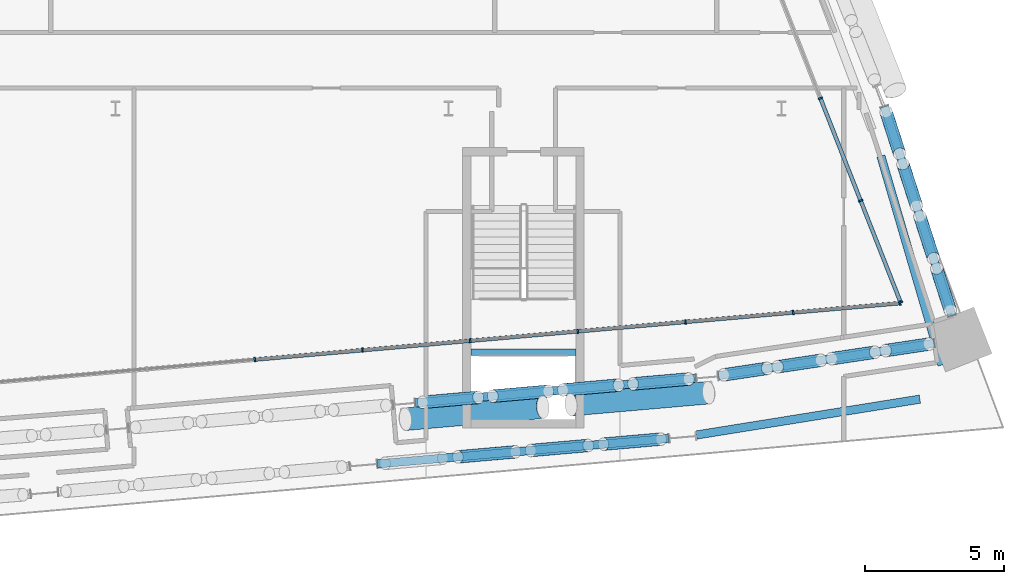
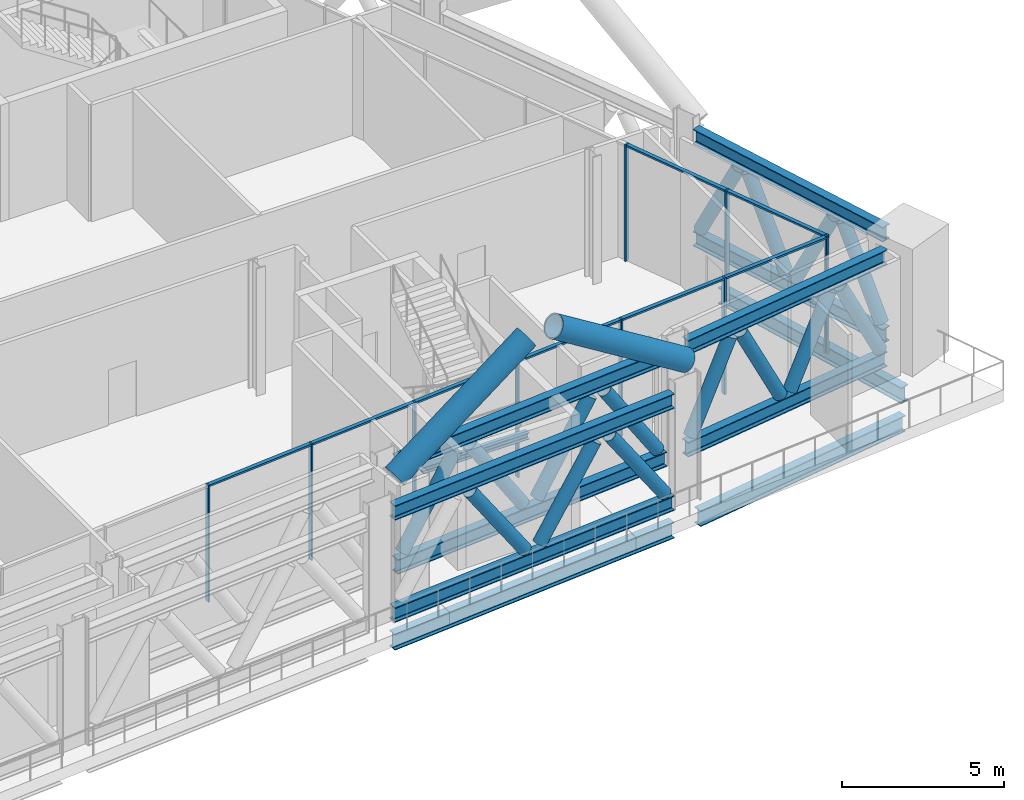
# One storey, part 11 of 39: 43 members, 4 beams, 2 elements without a shape of their own.
"""IFC4 building model written with IfcOpenShell, lengths in metres."""

from ifc_helpers import new_model, si_unit, direction, frame, origin, origin_2d, place, context, subcontext, project, spatial, rectangle, hollow_circle, i_section, extrude, material, material_profile, profile_set, type_object, element, aggregate, save


model = new_model("IFC4")

# Units and contexts
model_context = context("Model", 3, precision=1e-05, world=origin(), true_north=direction((0.0, 1.0)))
body_context = subcontext(model_context, "Body", "Model", "MODEL_VIEW")
ifc_project = project(units=[si_unit("LENGTHUNIT", "METRE"), si_unit("AREAUNIT", "SQUARE_METRE"), si_unit("VOLUMEUNIT", "CUBIC_METRE"), si_unit("PLANEANGLEUNIT", "RADIAN"), si_unit("MASSUNIT", "GRAM", prefix="KILO")], contexts=[model_context])

# Site, building, storey
site_placement = place(None, origin())
site = spatial("IfcSite", under=ifc_project, at=site_placement, CompositionType="ELEMENT")
building_placement = place(site_placement, origin())
building = spatial("IfcBuilding", under=site, at=building_placement, Name="Wharfspan Tower", CompositionType="ELEMENT")
storey_placement = place(building_placement, frame((0.0, 0.0, 91.899902)))
storey = spatial("IfcBuildingStorey", under=building, at=storey_placement, Name="L20", CompositionType="ELEMENT", Elevation=91.899902)

# Beams
ifc_material_1 = material(Name="Steel S355J2", Category="steel")
ifc_material_profile_1 = material_profile(ifc_material_1, i_section(OverallWidth=0.300049, OverallDepth=0.600098, WebThickness=0.015381, FlangeThickness=0.030029, FilletRadius=0.0271, at=origin_2d()))
ifc_profile_set_1 = profile_set([ifc_material_profile_1], Name="Steel S355J2")
beam_type_1 = type_object("IfcBeamType", Name="Edge beam HEB 600", PredefinedType="SPANDREL", material=ifc_profile_set_1)
beam_1_placement = place(storey_placement, frame((69.440674, -1.311279, -0.75), z_axis=(0.996193, 0.087178, 0.0), x_axis=(-0.087178, 0.996193, 0.0)))
element("IfcBeam", 1, at=beam_1_placement, inside=storey, type_object=beam_type_1, Name="Edge beam S2 L20 PS2.2 to PS2.3", PredefinedType="SPANDREL", context=body_context, shape_type="SweptSolid", body=[
    extrude(i_section(OverallWidth=0.300049, OverallDepth=0.600098, WebThickness=0.015381, FlangeThickness=0.030029, FilletRadius=0.0271, at=origin_2d()), origin(), (0.0, 0.0, 1.0), 10.543701),
])
beam_2_placement = place(storey_placement, frame((80.9375, -0.269287, -0.75), z_axis=(0.987379, 0.158378, 0.0), x_axis=(-0.158378, 0.987379, 0.0)))
element("IfcBeam", 2, at=beam_2_placement, inside=storey, type_object=beam_type_1, Name="Edge beam S2 L20 PS2.3 to MC4", PredefinedType="SPANDREL", context=body_context, shape_type="SweptSolid", body=[
    extrude(i_section(OverallWidth=0.300049, OverallDepth=0.600098, WebThickness=0.015381, FlangeThickness=0.030029, FilletRadius=0.0271, at=origin_2d()), origin(), (0.0, 0.0, 1.0), 8.157715),
])
beam_3_placement = place(storey_placement, frame((89.788086, 2.254639, -0.75), z_axis=(-0.280694, 0.959797, 0.0), x_axis=(-0.959797, -0.280694, 0.0)))
element("IfcBeam", 3, at=beam_3_placement, inside=storey, type_object=beam_type_1, Name="Edge beam E L20 MC4 to PE.1", PredefinedType="SPANDREL", context=body_context, shape_type="SweptSolid", body=[
    extrude(i_section(OverallWidth=0.300049, OverallDepth=0.600098, WebThickness=0.015381, FlangeThickness=0.030029, FilletRadius=0.0271, at=origin_2d()), origin(), (0.0, 0.0, 1.0), 7.8479),
])
ifc_material_profile_2 = material_profile(ifc_material_1, i_section(OverallWidth=0.23999, OverallDepth=0.23999, WebThickness=0.01001, FlangeThickness=0.01709, FilletRadius=0.020996, at=origin_2d()))
ifc_profile_set_2 = profile_set([ifc_material_profile_2], Name="Steel S355J2")
beam_type_2 = type_object("IfcBeamType", Name="Landing edge beam HEB 240", PredefinedType="BEAM", material=ifc_profile_set_2)
beam_4_placement = place(storey_placement, frame((72.813477, 2.7146, 2.080078), z_axis=(1.0, 0.0, 0.0), x_axis=(0.0, 1.0, 0.0)))
element("IfcBeam", 4, at=beam_4_placement, inside=storey, type_object=beam_type_2, Name="Landing edge beam", PredefinedType="BEAM", context=body_context, shape_type="SweptSolid", body=[
    extrude(i_section(OverallWidth=0.23999, OverallDepth=0.23999, WebThickness=0.01001, FlangeThickness=0.01709, FilletRadius=0.020996, at=origin_2d()), origin(), (0.0, 0.0, 1.0), 3.781494),
])

# Curtain wall, members
ifc_material_2 = material(Name="Aluminium 6063-T6", Category="aluminium")
curtain_wall_type = type_object("IfcCurtainWallType", Name="CURTAIN WALL BAND RECESS", PredefinedType="NOTDEFINED", material=ifc_material_2)
curtain_wall_1_placement = place(storey_placement, origin())
curtain_wall_1 = element("IfcCurtainWall", 5, at=curtain_wall_1_placement, inside=storey, type_object=curtain_wall_type, Name="Recess glazing R4", PredefinedType="NOTDEFINED")
ifc_material_profile_3 = material_profile(ifc_material_2, rectangle(XDim=0.159912, YDim=0.060059, at=origin_2d()))
ifc_profile_set_3 = profile_set([ifc_material_profile_3], Name="Aluminium 6063-T6")
member_type_1 = type_object("IfcMemberType", Name="MULLION BAND RECESS 60x160", PredefinedType="MULLION", material=ifc_profile_set_3)
member_1_placement = place(storey_placement, frame((85.407959, 11.865234, 0.0), z_axis=(0.0, 0.0, 1.0), x_axis=(0.930702, 0.365778, 0.0)))
member_1 = element("IfcMember", 6, at=member_1_placement, type_object=member_type_1, Name="Recess glazing R4 mullion 7", PredefinedType="MULLION", context=body_context, shape_type="SweptSolid", body=[
    extrude(rectangle(XDim=0.159912, YDim=0.060059, at=origin_2d()), origin(), (0.0, 0.0, 1.0), 4.400146),
])
member_2_placement = place(storey_placement, frame((86.857666, 8.176025, 0.0), z_axis=(0.0, 0.0, 1.0), x_axis=(0.930702, 0.365778, 0.0)))
member_2 = element("IfcMember", 7, at=member_2_placement, type_object=member_type_1, Name="Recess glazing R4 mullion 8", PredefinedType="MULLION", context=body_context, shape_type="SweptSolid", body=[
    extrude(rectangle(XDim=0.159912, YDim=0.060059, at=origin_2d()), origin(), (0.0, 0.0, 1.0), 4.400146),
])
member_3_placement = place(storey_placement, frame((88.296631, 4.514893, 0.0), z_axis=(0.0, 0.0, 1.0), x_axis=(0.930702, 0.365778, 0.0)))
member_3 = element("IfcMember", 8, at=member_3_placement, type_object=member_type_1, Name="Recess glazing R4 mullion 9", PredefinedType="MULLION", context=body_context, shape_type="SweptSolid", body=[
    extrude(rectangle(XDim=0.159912, YDim=0.060059, at=origin_2d()), origin(), (0.0, 0.0, 1.0), 4.400146),
])

curtain_wall_2_placement = place(storey_placement, origin())
curtain_wall_2 = element("IfcCurtainWall", 9, at=curtain_wall_2_placement, inside=storey, type_object=curtain_wall_type, Name="Recess glazing R5", PredefinedType="NOTDEFINED")
member_4_placement = place(storey_placement, frame((88.277832, 4.484375, 0.0), z_axis=(0.0, 0.0, 1.0), x_axis=(0.087156, -0.996198, 0.0)))
member_4 = element("IfcMember", 10, at=member_4_placement, type_object=member_type_1, Name="Recess glazing R5 mullion 1", PredefinedType="MULLION", context=body_context, shape_type="SweptSolid", body=[
    extrude(rectangle(XDim=0.159912, YDim=0.060059, at=origin_2d()), origin(), (0.0, 0.0, 1.0), 4.400146),
])
member_5_placement = place(storey_placement, frame((84.426758, 4.147461, 0.0), z_axis=(0.0, 0.0, 1.0), x_axis=(0.087156, -0.996198, 0.0)))
member_5 = element("IfcMember", 11, at=member_5_placement, type_object=member_type_1, Name="Recess glazing R5 mullion 2", PredefinedType="MULLION", context=body_context, shape_type="SweptSolid", body=[
    extrude(rectangle(XDim=0.159912, YDim=0.060059, at=origin_2d()), origin(), (0.0, 0.0, 1.0), 4.400146),
])
member_6_placement = place(storey_placement, frame((80.546143, 3.807861, 0.0), z_axis=(0.0, 0.0, 1.0), x_axis=(0.087156, -0.996198, 0.0)))
member_6 = element("IfcMember", 12, at=member_6_placement, type_object=member_type_1, Name="Recess glazing R5 mullion 3", PredefinedType="MULLION", context=body_context, shape_type="SweptSolid", body=[
    extrude(rectangle(XDim=0.159912, YDim=0.060059, at=origin_2d()), origin(), (0.0, 0.0, 1.0), 4.400146),
])
member_7_placement = place(storey_placement, frame((76.665283, 3.468262, 0.0), z_axis=(0.0, 0.0, 1.0), x_axis=(0.087156, -0.996198, 0.0)))
member_7 = element("IfcMember", 13, at=member_7_placement, type_object=member_type_1, Name="Recess glazing R5 mullion 4", PredefinedType="MULLION", context=body_context, shape_type="SweptSolid", body=[
    extrude(rectangle(XDim=0.159912, YDim=0.060059, at=origin_2d()), origin(), (0.0, 0.0, 1.0), 4.400146),
])
member_8_placement = place(storey_placement, frame((72.784668, 3.128906, 0.0), z_axis=(0.0, 0.0, 1.0), x_axis=(0.087156, -0.996198, 0.0)))
member_8 = element("IfcMember", 14, at=member_8_placement, type_object=member_type_1, Name="Recess glazing R5 mullion 5", PredefinedType="MULLION", context=body_context, shape_type="SweptSolid", body=[
    extrude(rectangle(XDim=0.159912, YDim=0.060059, at=origin_2d()), origin(), (0.0, 0.0, 1.0), 4.400146),
])
member_9_placement = place(storey_placement, frame((68.903809, 2.789307, 0.0), z_axis=(0.0, 0.0, 1.0), x_axis=(0.087156, -0.996198, 0.0)))
member_9 = element("IfcMember", 15, at=member_9_placement, type_object=member_type_1, Name="Recess glazing R5 mullion 6", PredefinedType="MULLION", context=body_context, shape_type="SweptSolid", body=[
    extrude(rectangle(XDim=0.159912, YDim=0.060059, at=origin_2d()), origin(), (0.0, 0.0, 1.0), 4.400146),
])
member_10_placement = place(storey_placement, frame((65.022949, 2.449707, 0.0), z_axis=(0.0, 0.0, 1.0), x_axis=(0.087156, -0.996198, 0.0)))
member_10 = element("IfcMember", 16, at=member_10_placement, type_object=member_type_1, Name="Recess glazing R5 mullion 7", PredefinedType="MULLION", context=body_context, shape_type="SweptSolid", body=[
    extrude(rectangle(XDim=0.159912, YDim=0.060059, at=origin_2d()), origin(), (0.0, 0.0, 1.0), 4.400146),
])

# Members
ifc_material_3 = material(Name="Steel S460NH", Category="steel")
ifc_material_profile_4 = material_profile(ifc_material_3, hollow_circle(Radius=0.406494, WallThickness=0.040039, at=origin_2d()))
ifc_profile_set_4 = profile_set([ifc_material_profile_4], Name="Steel S460NH")
member_type_2 = type_object("IfcMemberType", Name="Mega brace CHS 813x40", PredefinedType="BRACE", material=ifc_profile_set_4)
member_11_placement = place(storey_placement, frame((70.452393, 0.299805, 4.100098), z_axis=(0.832734, 0.072869, 0.548858), x_axis=(-0.087173, 0.99619, 1e-06)))
element("IfcMember", 17, at=member_11_placement, inside=storey, type_object=member_type_2, Name="Mega brace S2 L21 part 1", PredefinedType="BRACE", context=body_context, shape_type="SweptSolid", body=[
    extrude(hollow_circle(Radius=0.406494, WallThickness=0.040039, at=origin_2d()), origin(), (0.0, 0.0, 1.0), 5.943604),
])
member_12_placement = place(storey_placement, frame((81.376221, 1.255371, 4.100098), z_axis=(-0.832724, -0.07283, 0.548878), x_axis=(0.087128, -0.996197, 1e-06)))
element("IfcMember", 18, at=member_12_placement, inside=storey, type_object=member_type_2, Name="Mega brace S2 L21 part 3", PredefinedType="BRACE", context=body_context, shape_type="SweptSolid", body=[
    extrude(hollow_circle(Radius=0.406494, WallThickness=0.040039, at=origin_2d()), origin(), (0.0, 0.0, 1.0), 5.943359),
])

# Member
ifc_material_profile_5 = material_profile(ifc_material_2, rectangle(XDim=0.139893, YDim=0.070068, at=origin_2d()))
ifc_profile_set_5 = profile_set([ifc_material_profile_5], Name="Aluminium 6063-T6")
member_type_3 = type_object("IfcMemberType", Name="TRANSOM BAND RECESS 70x140", PredefinedType="USERDEFINED", material=ifc_profile_set_5)
member_13_placement = place(storey_placement, frame((85.418945, 11.837158, 4.36499), z_axis=(0.365734, -0.93072, 0.0), x_axis=(0.93072, 0.365734, 0.0)))
member_13 = element("IfcMember", 19, at=member_13_placement, type_object=member_type_3, Name="Recess glazing R4 transom 7", ObjectType="TRANSOM", PredefinedType="USERDEFINED", context=body_context, shape_type="SweptSolid", body=[
    extrude(rectangle(XDim=0.139893, YDim=0.070068, at=origin_2d()), origin(), (0.0, 0.0, 1.0), 3.903809),
])

member_14_placement = place(storey_placement, frame((86.868652, 8.148193, 4.36499), z_axis=(0.365777, -0.930702, 0.0), x_axis=(0.930702, 0.365777, 0.0)))
member_14 = element("IfcMember", 20, at=member_14_placement, type_object=member_type_3, Name="Recess glazing R4 transom 8", ObjectType="TRANSOM", PredefinedType="USERDEFINED", context=body_context, shape_type="SweptSolid", body=[
    extrude(rectangle(XDim=0.139893, YDim=0.070068, at=origin_2d()), origin(), (0.0, 0.0, 1.0), 3.874023),
])

aggregate(curtain_wall_1, [member_1, member_2, member_3, member_13, member_14])

member_15_placement = place(storey_placement, frame((88.247803, 4.481689, 4.36499), z_axis=(-0.996192, -0.087186, 0.0), x_axis=(0.087186, -0.996192, 0.0)))
member_15 = element("IfcMember", 21, at=member_15_placement, type_object=member_type_3, Name="Recess glazing R5 transom 1", ObjectType="TRANSOM", PredefinedType="USERDEFINED", context=body_context, shape_type="SweptSolid", body=[
    extrude(rectangle(XDim=0.139893, YDim=0.070068, at=origin_2d()), origin(), (0.0, 0.0, 1.0), 3.80542),
])

member_16_placement = place(storey_placement, frame((84.396973, 4.144775, 4.36499), z_axis=(-0.996196, -0.087138, 0.0), x_axis=(0.087138, -0.996196, 0.0)))
member_16 = element("IfcMember", 22, at=member_16_placement, type_object=member_type_3, Name="Recess glazing R5 transom 2", ObjectType="TRANSOM", PredefinedType="USERDEFINED", context=body_context, shape_type="SweptSolid", body=[
    extrude(rectangle(XDim=0.139893, YDim=0.070068, at=origin_2d()), origin(), (0.0, 0.0, 1.0), 3.835693),
])

member_17_placement = place(storey_placement, frame((80.516113, 3.805176, 4.36499), z_axis=(-0.996196, -0.087143, 0.0), x_axis=(0.087143, -0.996196, 0.0)))
member_17 = element("IfcMember", 23, at=member_17_placement, type_object=member_type_3, Name="Recess glazing R5 transom 3", ObjectType="TRANSOM", PredefinedType="USERDEFINED", context=body_context, shape_type="SweptSolid", body=[
    extrude(rectangle(XDim=0.139893, YDim=0.070068, at=origin_2d()), origin(), (0.0, 0.0, 1.0), 3.835449),
])

member_18_placement = place(storey_placement, frame((76.635498, 3.46582, 4.36499), z_axis=(-0.996191, -0.087201, 0.0), x_axis=(0.087201, -0.996191, 0.0)))
member_18 = element("IfcMember", 24, at=member_18_placement, type_object=member_type_3, Name="Recess glazing R5 transom 4", ObjectType="TRANSOM", PredefinedType="USERDEFINED", context=body_context, shape_type="SweptSolid", body=[
    extrude(rectangle(XDim=0.139893, YDim=0.070068, at=origin_2d()), origin(), (0.0, 0.0, 1.0), 3.835693),
])

member_19_placement = place(storey_placement, frame((72.754639, 3.126221, 4.36499), z_axis=(-0.996196, -0.087138, 0.0), x_axis=(0.087138, -0.996196, 0.0)))
member_19 = element("IfcMember", 25, at=member_19_placement, type_object=member_type_3, Name="Recess glazing R5 transom 5", ObjectType="TRANSOM", PredefinedType="USERDEFINED", context=body_context, shape_type="SweptSolid", body=[
    extrude(rectangle(XDim=0.139893, YDim=0.070068, at=origin_2d()), origin(), (0.0, 0.0, 1.0), 3.835693),
])

member_20_placement = place(storey_placement, frame((68.874023, 2.786621, 4.36499), z_axis=(-0.996196, -0.087138, 0.0), x_axis=(0.087138, -0.996196, 0.0)))
member_20 = element("IfcMember", 26, at=member_20_placement, type_object=member_type_3, Name="Recess glazing R5 transom 6", ObjectType="TRANSOM", PredefinedType="USERDEFINED", context=body_context, shape_type="SweptSolid", body=[
    extrude(rectangle(XDim=0.139893, YDim=0.070068, at=origin_2d()), origin(), (0.0, 0.0, 1.0), 3.835693),
])

aggregate(curtain_wall_2, [member_4, member_5, member_6, member_7, member_8, member_9, member_10, member_15, member_16, member_17, member_18, member_19, member_20])

# Members
ifc_material_profile_6 = material_profile(ifc_material_1, i_section(OverallWidth=0.300049, OverallDepth=0.550049, WebThickness=0.014893, FlangeThickness=0.029053, FilletRadius=0.0271, at=origin_2d()))
ifc_profile_set_6 = profile_set([ifc_material_profile_6], Name="Steel S355J2")
member_type_4 = type_object("IfcMemberType", Name="Truss chord HEB 550", PredefinedType="CHORD", material=ifc_profile_set_6)
for number, where, z_axis, x_axis, name in (
    (27, (70.80957, 0.888184, 4.125), (0.996195, 0.087157, 0.0), (-0.087157, 0.996195, 0.0), "Belt truss chord T L20 S2 PS2.2 to PS2.3"),
    (28, (70.80957, 0.888184, 0.275146), (0.996195, 0.087157, 0.0), (-0.087157, 0.996195, 0.0), "Belt truss chord B L20 S2 PS2.2 to PS2.3"),
):
    element("IfcMember", number, at=place(storey_placement, frame(where, z_axis=z_axis, x_axis=x_axis)), inside=storey, type_object=member_type_4, Name=name, PredefinedType="CHORD", context=body_context, shape_type="SweptSolid", body=[
        extrude(i_section(OverallWidth=0.300049, OverallDepth=0.550049, WebThickness=0.014893, FlangeThickness=0.029053, FilletRadius=0.0271, at=origin_2d()), origin(), (0.0, 0.0, 1.0), 10.151367),
    ])
for number, where, z_axis, x_axis, name in (
    (29, (81.731201, 1.868896, 4.125), (0.988922, 0.148436, 0.0), (-0.148436, 0.988922, 0.0), "Belt truss chord T L20 S2 PS2.3 to MC4"),
    (30, (81.731201, 1.868896, 0.275146), (0.988922, 0.148436, 0.0), (-0.148436, 0.988922, 0.0), "Belt truss chord B L20 S2 PS2.3 to MC4"),
):
    element("IfcMember", number, at=place(storey_placement, frame(where, z_axis=z_axis, x_axis=x_axis)), inside=storey, type_object=member_type_4, Name=name, PredefinedType="CHORD", context=body_context, shape_type="SweptSolid", body=[
        extrude(i_section(OverallWidth=0.300049, OverallDepth=0.550049, WebThickness=0.014893, FlangeThickness=0.029053, FilletRadius=0.0271, at=origin_2d()), origin(), (0.0, 0.0, 1.0), 7.870117),
    ])
for number, where, z_axis, x_axis, name in (
    (31, (90.149658, 4.031982, 4.125), (-0.307852, 0.951434, 0.0), (-0.951434, -0.307852, 0.0), "Belt truss chord T L20 E MC4 to PE.1"),
    (32, (90.149658, 4.031982, 0.275146), (-0.307852, 0.951434, 0.0), (-0.951434, -0.307852, 0.0), "Belt truss chord B L20 E MC4 to PE.1"),
):
    element("IfcMember", number, at=place(storey_placement, frame(where, z_axis=z_axis, x_axis=x_axis)), inside=storey, type_object=member_type_4, Name=name, PredefinedType="CHORD", context=body_context, shape_type="SweptSolid", body=[
        extrude(i_section(OverallWidth=0.300049, OverallDepth=0.550049, WebThickness=0.014893, FlangeThickness=0.029053, FilletRadius=0.0271, at=origin_2d()), origin(), (0.0, 0.0, 1.0), 7.916992),
    ])
for number, where, z_axis, x_axis, name in (
    (33, (69.44458, -1.310791, 4.125), (0.996195, 0.087151, 0.0), (-0.087151, 0.996195, 0.0), "Belt truss chord T L20 S2 PS2.2.S to PS2.3.S"),
    (34, (69.44458, -1.310791, 0.275146), (0.996195, 0.087151, 0.0), (-0.087151, 0.996195, 0.0), "Belt truss chord B L20 S2 PS2.2.S to PS2.3.S"),
):
    element("IfcMember", number, at=place(storey_placement, frame(where, z_axis=z_axis, x_axis=x_axis)), inside=storey, type_object=member_type_4, Name=name, PredefinedType="CHORD", context=body_context, shape_type="SweptSolid", body=[
        extrude(i_section(OverallWidth=0.300049, OverallDepth=0.550049, WebThickness=0.014893, FlangeThickness=0.029053, FilletRadius=0.0271, at=origin_2d()), origin(), (0.0, 0.0, 1.0), 10.535889),
    ])
ifc_material_profile_7 = material_profile(ifc_material_3, hollow_circle(Radius=0.228516, WallThickness=0.016113, at=origin_2d()))
ifc_profile_set_7 = profile_set([ifc_material_profile_7], Name="Steel S460NH")
member_type_5 = type_object("IfcMemberType", Name="Truss diagonal CHS 457x16", PredefinedType="BRACE", material=ifc_profile_set_7)
for number, where, z_axis, x_axis, name in (
    (35, (71.072754, 0.911133, 0.675781), (0.548278, 0.047941, 0.834921), (-0.08711, 0.9962, 2e-06), "Belt truss diagonal L20 S2 PS2.2 to PS2.3 1"),
    (36, (73.60083, 1.132324, 3.724365), (0.548276, 0.048008, -0.834918), (-0.087231, 0.996188, -2e-06), "Belt truss diagonal L20 S2 PS2.2 to PS2.3 2"),
    (37, (76.12915, 1.353516, 0.675781), (0.548276, 0.048008, 0.834918), (-0.087231, 0.996188, 2e-06), "Belt truss diagonal L20 S2 PS2.2 to PS2.3 3"),
    (38, (78.657471, 1.574707, 3.724365), (0.548276, 0.048008, -0.834918), (-0.087231, 0.996188, -2e-06), "Belt truss diagonal L20 S2 PS2.2 to PS2.3 4"),
):
    element("IfcMember", number, at=place(storey_placement, frame(where, z_axis=z_axis, x_axis=x_axis)), inside=storey, type_object=member_type_5, Name=name, PredefinedType="BRACE", context=body_context, shape_type="SweptSolid", body=[
        extrude(hollow_circle(Radius=0.228516, WallThickness=0.016113, at=origin_2d()), origin(), (0.0, 0.0, 1.0), 3.651367),
    ])
for number, where, z_axis, x_axis, name in (
    (39, (81.922852, 1.897705, 0.654053), (0.449986, 0.067498, 0.890481), (-0.148342, 0.988932, 1e-06), "Belt truss diagonal L20 S2 PS2.3 to MC4 1"),
    (40, (83.868408, 2.189697, 3.746094), (0.45004, 0.067566, -0.890449), (-0.14847, 0.988921, 0.0), "Belt truss diagonal L20 S2 PS2.3 to MC4 2"),
    (41, (85.814209, 2.481689, 0.654053), (0.449984, 0.067568, 0.890477), (-0.148488, 0.988915, -2e-06), "Belt truss diagonal L20 S2 PS2.3 to MC4 3"),
    (42, (87.759766, 2.773682, 3.746094), (0.45004, 0.067566, -0.890449), (-0.14847, 0.988921, 0.0), "Belt truss diagonal L20 S2 PS2.3 to MC4 4"),
):
    element("IfcMember", number, at=place(storey_placement, frame(where, z_axis=z_axis, x_axis=x_axis)), inside=storey, type_object=member_type_5, Name=name, PredefinedType="BRACE", context=body_context, shape_type="SweptSolid", body=[
        extrude(hollow_circle(Radius=0.228516, WallThickness=0.016113, at=origin_2d()), origin(), (0.0, 0.0, 1.0), 3.472412),
    ])
for number, where, z_axis, x_axis, name in (
    (43, (90.0896, 4.217529, 0.654541), (-0.140768, 0.435017, 0.889351), (-0.95143, -0.307871, -2e-06), "Belt truss diagonal L20 E MC4 to PE.1 1"),
    (44, (89.480225, 6.10083, 3.745605), (-0.140703, 0.434964, -0.889387), (-0.95146, -0.307776, 2e-06), "Belt truss diagonal L20 E MC4 to PE.1 2"),
    (45, (88.871094, 7.983887, 0.654541), (-0.140768, 0.435017, 0.889351), (-0.95143, -0.307871, -2e-06), "Belt truss diagonal L20 E MC4 to PE.1 3"),
    (46, (88.261719, 9.866943, 3.745605), (-0.140768, 0.435017, -0.889351), (-0.95143, -0.307871, 2e-06), "Belt truss diagonal L20 E MC4 to PE.1 4"),
):
    element("IfcMember", number, at=place(storey_placement, frame(where, z_axis=z_axis, x_axis=x_axis)), inside=storey, type_object=member_type_5, Name=name, PredefinedType="BRACE", context=body_context, shape_type="SweptSolid", body=[
        extrude(hollow_circle(Radius=0.228516, WallThickness=0.016113, at=origin_2d()), origin(), (0.0, 0.0, 1.0), 3.475586),
    ])
for number, where, z_axis, x_axis, name in (
    (47, (72.343994, -1.057129, 3.721191), (0.562498, 0.049215, -0.825333), (-0.087159, 0.996192, 1e-06), "Belt truss diagonal L20 S2 PS2.2.S to PS2.3.S 2"),
    (48, (74.967773, -0.827637, 0.679199), (0.562498, 0.049215, 0.825333), (-0.087159, 0.996192, -1e-06), "Belt truss diagonal L20 S2 PS2.2.S to PS2.3.S 3"),
    (49, (77.591797, -0.598145, 3.721191), (0.562498, 0.049215, -0.825333), (-0.087159, 0.996192, 1e-06), "Belt truss diagonal L20 S2 PS2.2.S to PS2.3.S 4"),
):
    element("IfcMember", number, at=place(storey_placement, frame(where, z_axis=z_axis, x_axis=x_axis)), inside=storey, type_object=member_type_5, Name=name, PredefinedType="BRACE", context=body_context, shape_type="SweptSolid", body=[
        extrude(hollow_circle(Radius=0.228516, WallThickness=0.016113, at=origin_2d()), origin(), (0.0, 0.0, 1.0), 3.685791),
    ])

save(model, "model.ifc")
